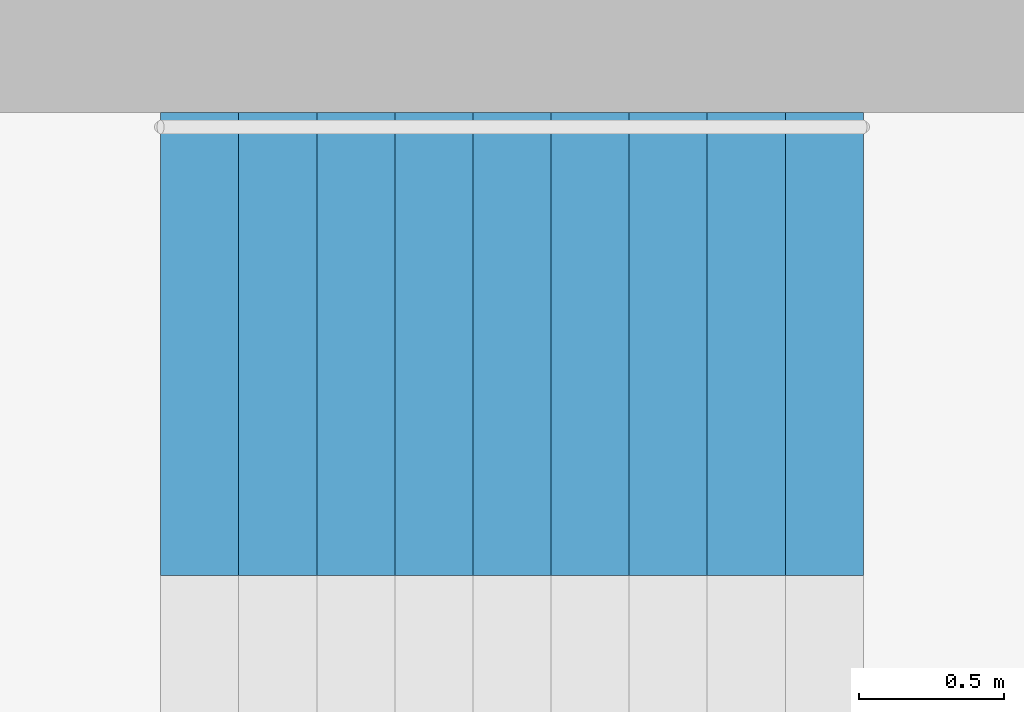
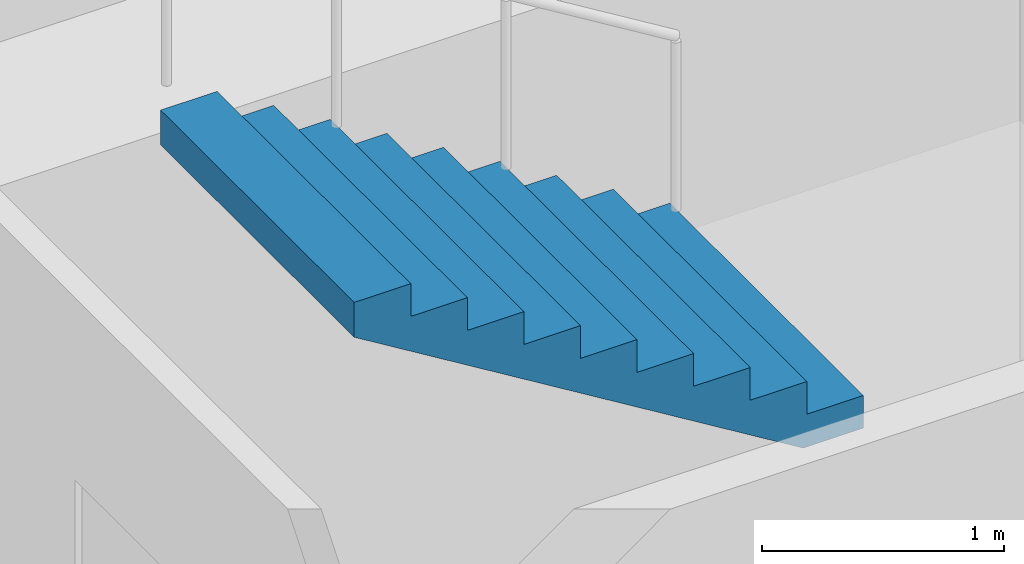
# One storey, part 10 of 13: 1 stair flight, 1 element without a shape of its own.
"""IFC4 building model written with IfcOpenShell, lengths in metres."""

from ifc_helpers import new_model, si_unit, direction, frame, origin, place, context, subcontext, project, spatial, polyline, outline, extrude, material, type_object, element, aggregate, save


model = new_model("IFC4")

# Units and contexts
model_context = context("Model", 3, precision=1e-05, world=origin(), true_north=direction((0.0, 1.0)))
body_context = subcontext(model_context, "Body", "Model", "MODEL_VIEW")
ifc_project = project(units=[si_unit("LENGTHUNIT", "METRE"), si_unit("AREAUNIT", "SQUARE_METRE"), si_unit("VOLUMEUNIT", "CUBIC_METRE"), si_unit("PLANEANGLEUNIT", "RADIAN"), si_unit("MASSUNIT", "GRAM", prefix="KILO")], contexts=[model_context])

# Site, building, storey
site_placement = place(None, origin())
site = spatial("IfcSite", under=ifc_project, at=site_placement, CompositionType="ELEMENT")
building_placement = place(site_placement, origin())
building = spatial("IfcBuilding", under=site, at=building_placement, Name="Taillehof Tower", CompositionType="ELEMENT")
storey_placement = place(building_placement, frame((0.0, 0.0, 38.199951171875)))
storey = spatial("IfcBuildingStorey", under=building, at=storey_placement, Name="L09", CompositionType="ELEMENT", Elevation=38.199951171875)

# Stair, stair flight
ifc_material_1 = material(Name="Concrete C40/50", Category="concrete")
stair_type = type_object("IfcStairType", Name="Exit stair half-turn", PredefinedType="HALF_TURN_STAIR", material=ifc_material_1)
stair_placement = place(storey_placement, origin())
stair = element("IfcStair", 1, at=stair_placement, inside=storey, type_object=stair_type, Name="Exit stair S1", PredefinedType="HALF_TURN_STAIR")
ifc_material_2 = material(Name="Concrete C40/50", Category="concrete")
stair_flight_type = type_object("IfcStairFlightType", Name="Stair flight 1600 riser 165.0 going 270", PredefinedType="STRAIGHT", material=ifc_material_2)
stair_flight_placement = place(storey_placement, frame((9.429931640625, 8.300048828125, 1.650146484375), z_axis=(0.0, 0.0, 1.0), x_axis=(-1.0, 0.0, 0.0)))
stair_flight = element("IfcStairFlight", 2, at=stair_flight_placement, type_object=stair_flight_type, Name="S1 flight 2", NumberOfRisers=10, NumberOfTreads=9, PredefinedType="STRAIGHT", RiserHeight=0.165, TreadLength=0.27, context=body_context, shape_type="SweptSolid", body=[
    extrude(outline(polyline([(0.0, 0.0), (0.0, 0.00537109375), (0.0, 0.0107421875), (0.0, 0.015869140625), (0.0, 0.021240234375), (0.0, 0.026611328125), (0.0, 0.031982421875), (0.0, 0.037353515625), (0.0, 0.04248046875), (0.0, 0.0478515625), (0.0, 0.05322265625), (0.0, 0.05859375), (0.0, 0.06396484375), (0.0, 0.069091796875), (0.0, 0.074462890625), (0.0, 0.079833984375), (0.0, 0.085205078125), (0.0, 0.090576171875), (0.0, 0.095703125), (0.0, 0.10107421875), (0.0, 0.1064453125), (0.0, 0.11181640625), (0.0, 0.1171875), (0.0, 0.122314453125), (0.0, 0.127685546875), (0.0, 0.133056640625), (0.0, 0.138427734375), (0.0, 0.143798828125), (0.0, 0.14892578125), (0.0, 0.154296875), (0.0, 0.15966796875), (0.0, 0.1650390625), (0.27001953125, 0.1650390625), (0.27001953125, 0.330078125), (0.5400390625, 0.330078125), (0.5400390625, 0.4951171875), (0.81005859375, 0.4951171875), (0.81005859375, 0.659912109375), (1.080078125, 0.659912109375), (1.080078125, 0.824951171875), (1.35009765625, 0.824951171875), (1.35009765625, 0.989990234375), (1.6201171875, 0.989990234375), (1.6201171875, 1.155029296875), (1.889892578125, 1.155029296875), (1.889892578125, 1.320068359375), (2.159912109375, 1.320068359375), (2.159912109375, 1.485107421875), (2.429931640625, 1.485107421875), (2.429931640625, 1.479248046875), (2.429931640625, 1.4736328125), (2.429931640625, 1.468017578125), (2.429931640625, 1.46240234375), (2.429931640625, 1.45654296875), (2.429931640625, 1.450927734375), (2.429931640625, 1.4453125), (2.429931640625, 1.439697265625), (2.429931640625, 1.43408203125), (2.429931640625, 1.42822265625), (2.429931640625, 1.422607421875), (2.429931640625, 1.4169921875), (2.429931640625, 1.411376953125), (2.429931640625, 1.40576171875), (2.429931640625, 1.39990234375), (2.429931640625, 1.394287109375), (2.429931640625, 1.388671875), (2.429931640625, 1.383056640625), (2.429931640625, 1.37744140625), (2.429931640625, 1.37158203125), (2.429931640625, 1.365966796875), (2.429931640625, 1.3603515625), (2.429931640625, 1.354736328125), (2.429931640625, 1.348876953125), (2.429931640625, 1.34326171875), (2.429931640625, 1.337646484375), (2.429931640625, 1.33203125), (2.429931640625, 1.326416015625), (2.429931640625, 1.320556640625), (2.429931640625, 1.31494140625), (2.429931640625, 1.309326171875), (0.287353515625, 0.0), (0.0, 0.0)])), frame((0.0, 0.800048828125, 0.0), z_axis=(0.0, -1.0, 0.0), x_axis=(1.0, 0.0, 0.0)), (0.0, 0.0, 1.0), 1.6),
])
aggregate(stair, [stair_flight])

save(model, "model.ifc")
